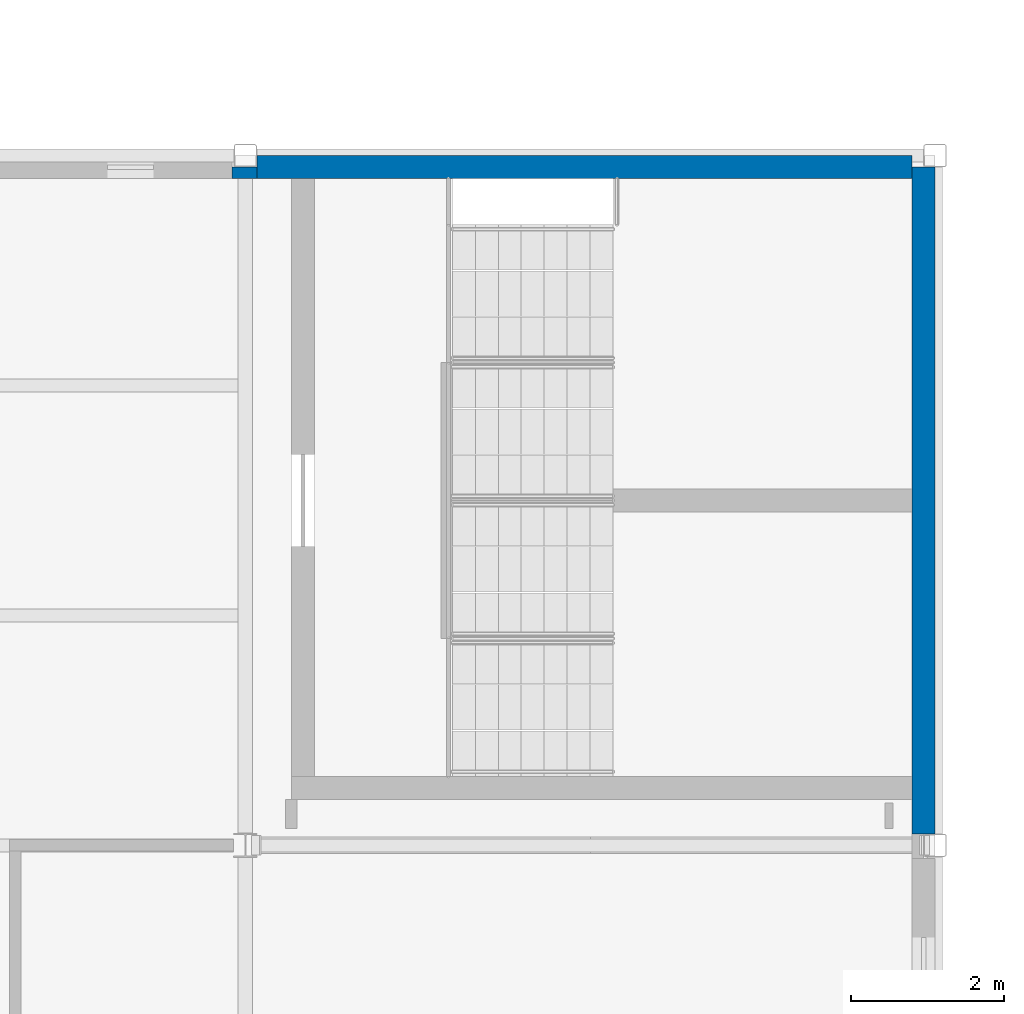
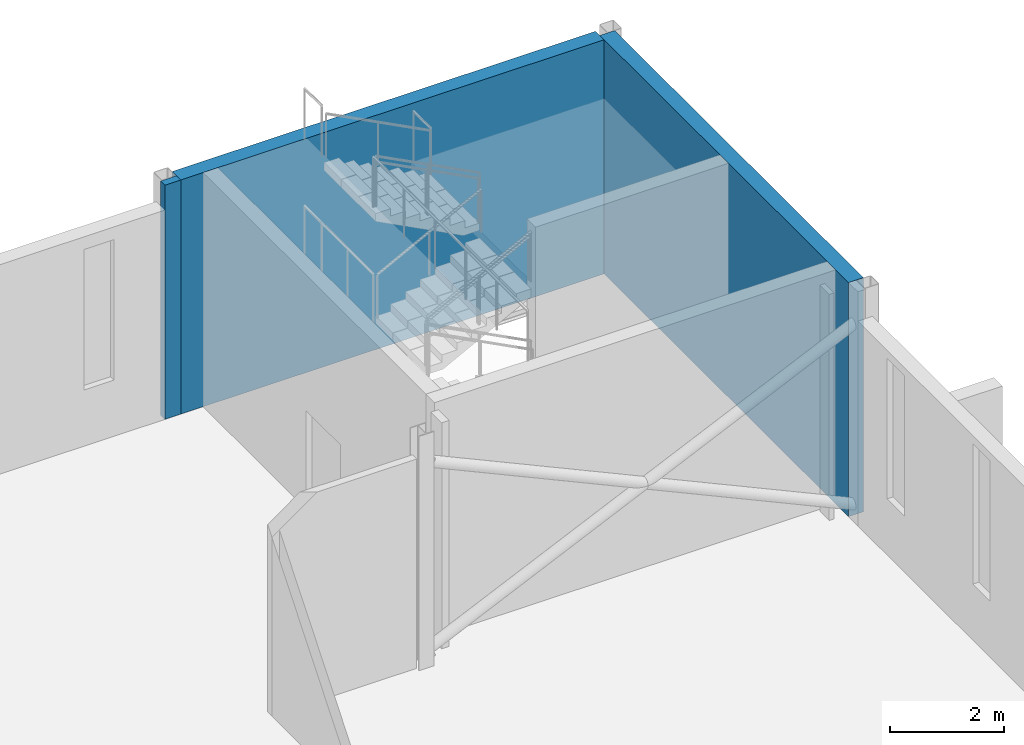
# One storey, part 91 of 115: 3 walls.
"""IFC4 building model written with IfcOpenShell, lengths in metres."""

from ifc_helpers import new_model, si_unit, direction, frame, frame_2d, origin, place, context, subcontext, project, spatial, rectangle, extrude, material, layer, layer_set, type_object, element, save


model = new_model("IFC4")

# Units and contexts
model_context = context("Model", 3, precision=1e-05, world=origin(), true_north=direction((0.0, 1.0)))
body_context = subcontext(model_context, "Body", "Model", "MODEL_VIEW")
ifc_project = project(units=[si_unit("LENGTHUNIT", "METRE"), si_unit("AREAUNIT", "SQUARE_METRE"), si_unit("VOLUMEUNIT", "CUBIC_METRE"), si_unit("PLANEANGLEUNIT", "RADIAN"), si_unit("MASSUNIT", "GRAM", prefix="KILO")], contexts=[model_context])

# Site, building, storey
site_placement = place(None, origin())
site = spatial("IfcSite", under=ifc_project, at=site_placement, CompositionType="ELEMENT")
building_placement = place(site_placement, origin())
building = spatial("IfcBuilding", under=site, at=building_placement, Name="Shorebreak Coast Museum", CompositionType="ELEMENT")
storey_placement = place(building_placement, frame((0.0, 0.0, 11.0)))
storey = spatial("IfcBuildingStorey", under=building, at=storey_placement, Name="L02", CompositionType="ELEMENT", Elevation=11.0)

# Walls
ifc_material_1 = material(Name="Concrete N50 (50 MPa)", Category="concrete")
ifc_layer_1 = layer(ifc_material_1, 0.14990234375)
ifc_layer_set_1 = layer_set([ifc_layer_1], Name="Concrete N50 (50 MPa)")
wall_type_1 = type_object("IfcWallType", Name="Column closure panel 150", PredefinedType="SOLIDWALL", material=ifc_layer_set_1)
wall_1_placement = place(storey_placement, frame((161.827880859375, 89.77490234375, 0.0), z_axis=(0.0, 0.0, 1.0), x_axis=(1.0, 0.0, 0.0)))
element("IfcWall", 1, at=wall_1_placement, inside=storey, type_object=wall_type_1, Name="Column closure panel L02 N 19L", PredefinedType="SOLIDWALL", context=body_context, shape_type="SweptSolid", body=[
    extrude(rectangle(XDim=0.322021484375, YDim=0.14990234375, at=frame_2d((0.1611328125, 0.0))), origin(), (0.0, 0.0, 1.0), 5.0),
])
ifc_material_2 = material(Name="Concrete N50 (50 MPa)", Category="concrete")
ifc_layer_2 = layer(ifc_material_2, 0.300048828125)
ifc_layer_set_2 = layer_set([ifc_layer_2], Name="Concrete N50 (50 MPa)")
wall_type_2 = type_object("IfcWallType", Name="RC wall 300", PredefinedType="SHEAR", material=ifc_layer_set_2)
wall_2_placement = place(storey_placement, frame((162.14990234375, 89.85009765625, 0.0), z_axis=(0.0, 0.0, 1.0), x_axis=(1.0, 0.0, 0.0)))
element("IfcWall", 2, at=wall_2_placement, inside=storey, type_object=wall_type_2, Name="Stair core wall ST08 L02 N", PredefinedType="SHEAR", context=body_context, shape_type="SweptSolid", body=[
    extrude(rectangle(XDim=8.550048828125, YDim=0.300048828125, at=frame_2d((4.27490234375, 0.0))), origin(), (0.0, 0.0, 1.0), 5.0),
])
wall_3_placement = place(storey_placement, frame((170.85009765625, 81.14990234375, 0.0), z_axis=(0.0, 0.0, 1.0), x_axis=(0.0, 1.0, 0.0)))
element("IfcWall", 3, at=wall_3_placement, inside=storey, type_object=wall_type_2, Name="Stair core wall ST08 L02 E", PredefinedType="SHEAR", context=body_context, shape_type="SweptSolid", body=[
    extrude(rectangle(XDim=8.7001953125, YDim=0.300048828125, at=frame_2d((4.35009765625, 0.0))), origin(), (0.0, 0.0, 1.0), 5.0),
])

save(model, "model.ifc")
